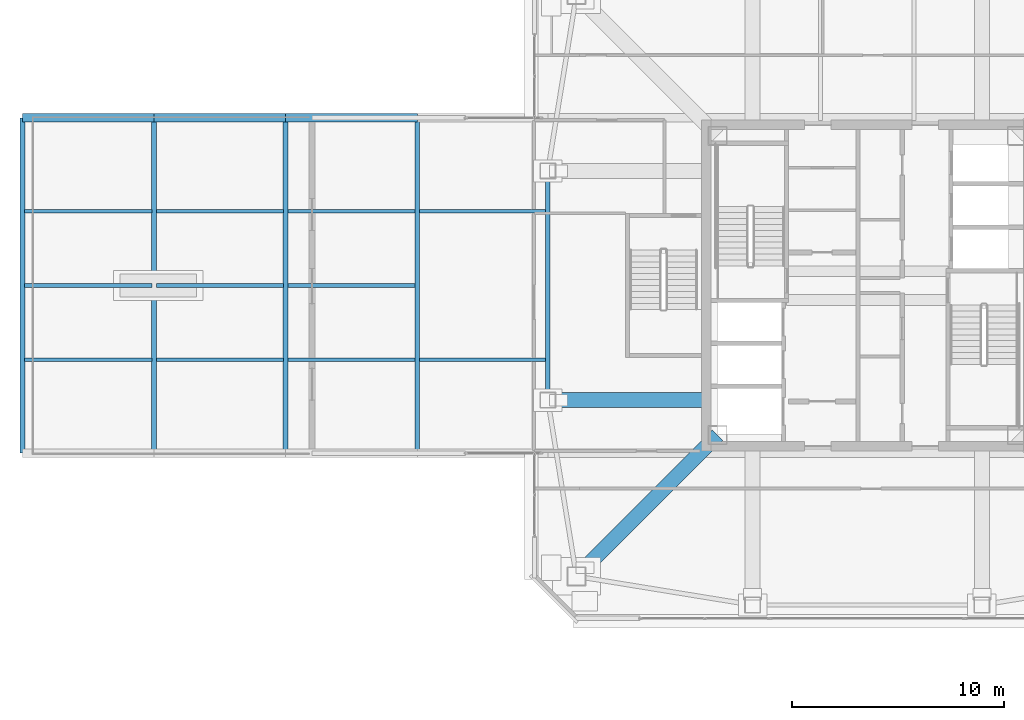
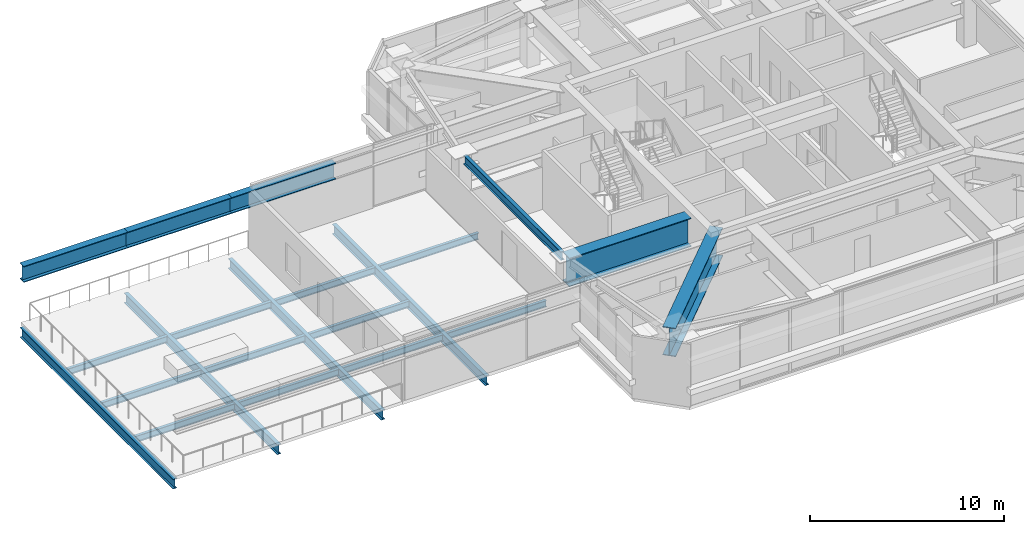
# One storey, part 6 of 51: 21 beams.
"""IFC4 building model written with IfcOpenShell, lengths in metres."""

import ifcopenshell
import ifcopenshell.guid

model = None  # the IFC model being written
_history = None  # IfcOwnerHistory: only IFC2X3 demands one
_inside = {}  # id of a spatial element -> (the spatial element, [elements in it])
_under = {}  # id of a project, library or spatial element -> (it, [spatial elements below it])
_declared = {}  # id of a project -> (the project, [libraries it declares])
_typed = {}  # id of a type object -> (the type object, [elements of that type])
_made_of = {}  # id of a material, layer set ... -> (it, [elements and type objects made of it])


def new_model(schema):
    """Start an empty IFC model of exactly this schema.

    Asked for "IFC4X3", IfcOpenShell would pick the latest addendum, in which some entities
    have other attributes; the version numbers below select the first issue.
    IFC2X3 requires an IfcOwnerHistory on every rooted entity: one is made here for all.
    """
    global model, _history
    if schema == "IFC4X3":
        model = ifcopenshell.file(schema_version=(4, 3, 0, 0))
    else:
        model = ifcopenshell.file(schema=schema)
    _inside.clear()
    _under.clear()
    _declared.clear()
    _typed.clear()
    _made_of.clear()
    _history = None
    if model.schema == "IFC2X3":
        org = make("IfcOrganization", Name="unknown")
        user = make(
            "IfcPersonAndOrganization",
            ThePerson=make("IfcPerson", FamilyName="unknown"),
            TheOrganization=org,
        )
        app = make(
            "IfcApplication",
            ApplicationDeveloper=org,
            Version="unknown",
            ApplicationFullName="unknown",
            ApplicationIdentifier="unknown",
        )
        _history = make(
            "IfcOwnerHistory",
            OwningUser=user,
            OwningApplication=app,
            ChangeAction="ADDED",
            CreationDate=0,
        )
    return model


def make(cls, **values):
    """One entity of the class cls with the attributes given. An attribute that is None is left unset."""
    return model.create_entity(
        cls, **{name: value for name, value in values.items() if value is not None}
    )


def rooted(cls, **values):
    """An entity with a GlobalId (a new one), such as an element, a storey or a relation."""
    return make(cls, GlobalId=ifcopenshell.guid.new(), OwnerHistory=_history, **values)


def si_unit(unit_type, name, prefix=None):
    """IfcSIUnit, for example si_unit("LENGTHUNIT", "METRE", prefix="MILLI")."""
    return make("IfcSIUnit", UnitType=unit_type, Prefix=prefix, Name=name)


def assignment(units):
    """IfcUnitAssignment: the units of a project."""
    return None if units is None else make("IfcUnitAssignment", Units=units)


def point(xyz):
    """IfcCartesianPoint."""
    return None if xyz is None else make("IfcCartesianPoint", Coordinates=xyz)


def direction(xyz):
    """IfcDirection."""
    return None if xyz is None else make("IfcDirection", DirectionRatios=xyz)


def frame(location, z_axis=None, x_axis=None):
    """IfcAxis2Placement3D, a coordinate frame: its origin and axes. An axis left out is left unset."""
    return make(
        "IfcAxis2Placement3D",
        Location=point(location),
        Axis=direction(z_axis),
        RefDirection=direction(x_axis),
    )


def frame_2d(location, x_axis=None):
    """IfcAxis2Placement2D, a coordinate frame in the plane: its origin and x axis."""
    return make(
        "IfcAxis2Placement2D", Location=point(location), RefDirection=direction(x_axis)
    )


def origin():
    """The frame at (0, 0, 0) with its axes left unset."""
    return frame((0.0, 0.0, 0.0))


def origin_2d():
    """The frame at (0, 0) in the plane with its x axis left unset."""
    return frame_2d((0.0, 0.0))


def place(relative_to, where):
    """IfcLocalPlacement: puts the frame where relative to a parent placement (None: the world)."""
    return make(
        "IfcLocalPlacement", PlacementRelTo=relative_to, RelativePlacement=where
    )


def context(
    kind, dimensions, precision=None, world=None, true_north=None, identifier=None
):
    """IfcGeometricRepresentationContext, for example the 3D "Model" context."""
    return make(
        "IfcGeometricRepresentationContext",
        ContextIdentifier=identifier,
        ContextType=kind,
        CoordinateSpaceDimension=dimensions,
        Precision=precision,
        WorldCoordinateSystem=world,
        TrueNorth=true_north,
    )


def subcontext(parent, identifier, kind, view, scale=None):
    """IfcGeometricRepresentationSubContext, for example "Body" below "Model"."""
    return make(
        "IfcGeometricRepresentationSubContext",
        ContextIdentifier=identifier,
        ContextType=kind,
        ParentContext=parent,
        TargetScale=scale,
        TargetView=view,
    )


def project(units=None, contexts=None):
    """IfcProject with its units and contexts."""
    return rooted(
        "IfcProject",
        Name="project",
        RepresentationContexts=contexts,
        UnitsInContext=assignment(units),
    )


def spatial(cls, under=None, at=None, **own):
    """A site, building, storey or space (cls), placed at a placement, below another one or the project."""
    s = rooted(cls, ObjectPlacement=at, **own)
    if under is not None:
        _under.setdefault(under.id(), (under, []))[1].append(s)
    return s


def profile(cls, at=None, kind="AREA", **sizes):
    """A parametric profile (cls). Its sizes go by their IFC names, for example OverallWidth=200.0."""
    return make(cls, ProfileType=kind, Position=at, **sizes)


def i_section(**sizes):
    """IfcIShapeProfileDef."""
    return profile("IfcIShapeProfileDef", **sizes)


def extrude(swept, where, along, depth):
    """IfcExtrudedAreaSolid: the profile swept, set in the frame where, extruded along a direction by depth."""
    return make(
        "IfcExtrudedAreaSolid",
        SweptArea=swept,
        Position=where,
        ExtrudedDirection=direction(along),
        Depth=depth,
    )


def shape(context_of_items, identifier, shape_type, items):
    """IfcShapeRepresentation: the items that make up one representation, for example the "Body"."""
    return make(
        "IfcShapeRepresentation",
        ContextOfItems=context_of_items,
        RepresentationIdentifier=identifier,
        RepresentationType=shape_type,
        Items=items,
    )


def material(Name=None, Category=None):
    """IfcMaterial."""
    return make("IfcMaterial", Name=Name, Category=Category)


def material_profile(
    of_material, cross_section, Name=None, Category=None, Priority=None
):
    """IfcMaterialProfile: a cross section and its material."""
    return make(
        "IfcMaterialProfile",
        Name=Name,
        Material=of_material,
        Profile=cross_section,
        Priority=Priority,
        Category=Category,
    )


def profile_set(profiles, Name=None, composite=None):
    """IfcMaterialProfileSet."""
    return make(
        "IfcMaterialProfileSet",
        Name=Name,
        MaterialProfiles=profiles,
        CompositeProfile=composite,
    )


def made_of(thing, what):
    """Note that an element or type object is made of a material, layer set ...; save() writes the relation."""
    if what is not None:
        _made_of.setdefault(what.id(), (what, []))[1].append(thing)
    return thing


def type_object(cls, material=None, **own):
    """A type object (cls), such as IfcWallType, which elements share."""
    return made_of(rooted(cls, **own), material)


def element(
    cls,
    number,
    at=None,
    inside=None,
    cuts=None,
    type_object=None,
    material=None,
    context=None,
    identifier="Body",
    shape_type=None,
    held_by="IfcProductDefinitionShape",
    body=None,
    shapes=None,
    **own,
):
    """One element of the class cls, such as IfcWall. Its Tag is "e" and its number.

    at: its placement. inside: the storey or other place that contains it. cuts: it is an
    opening in that element (IfcRelVoidsElement). A single representation is given by context,
    identifier, shape_type and body (its items); several are given by shapes. held_by: the class
    of the entity that holds the representations. save() writes the other relations.
    """
    e = rooted(cls, Tag="e%d" % number, ObjectPlacement=at, **own)
    if body is not None:
        shapes = [shape(context, identifier, shape_type, body)]
    if shapes is not None:
        e.Representation = make(held_by, Representations=shapes)
    if inside is not None:
        _inside.setdefault(inside.id(), (inside, []))[1].append(e)
    if cuts is not None:
        rooted(
            "IfcRelVoidsElement", RelatingBuildingElement=cuts, RelatedOpeningElement=e
        )
    if type_object is not None:
        _typed.setdefault(type_object.id(), (type_object, []))[1].append(e)
    return made_of(e, material)


def aggregate(whole, parts):
    """IfcRelAggregates: a whole, such as a stair, and the parts it consists of."""
    return rooted("IfcRelAggregates", RelatingObject=whole, RelatedObjects=parts)


def save(model, path):
    """Write the relations noted so far, then the file.

    IfcRelAggregates (storeys below a building ...), IfcRelContainedInSpatialStructure (elements
    in a storey), IfcRelDefinesByType, IfcRelAssociatesMaterial and IfcRelDeclares: one each for
    every whole, place, type object, material and project.
    """
    for whole, parts in _under.values():
        aggregate(whole, parts)
    for where, things in _inside.values():
        rooted(
            "IfcRelContainedInSpatialStructure",
            RelatedElements=things,
            RelatingStructure=where,
        )
    for kind, things in _typed.values():
        rooted("IfcRelDefinesByType", RelatedObjects=things, RelatingType=kind)
    for what, things in _made_of.values():
        rooted("IfcRelAssociatesMaterial", RelatedObjects=things, RelatingMaterial=what)
    for by, libraries in _declared.values():
        rooted("IfcRelDeclares", RelatingContext=by, RelatedDefinitions=libraries)
    model.write(path)


model = new_model("IFC4")

# Units and contexts
model_context = context("Model", 3, precision=1e-05, world=origin(), true_north=direction((0.0, 1.0)))
body_context = subcontext(model_context, "Body", "Model", "MODEL_VIEW")
ifc_project = project(units=[si_unit("LENGTHUNIT", "METRE"), si_unit("AREAUNIT", "SQUARE_METRE"), si_unit("VOLUMEUNIT", "CUBIC_METRE"), si_unit("PLANEANGLEUNIT", "RADIAN"), si_unit("MASSUNIT", "GRAM", prefix="KILO")], contexts=[model_context])

# Site, building, storey
site_placement = place(None, origin())
site = spatial("IfcSite", under=ifc_project, at=site_placement, CompositionType="ELEMENT")
building_placement = place(site_placement, origin())
building = spatial("IfcBuilding", under=site, at=building_placement, Name="Tashvorn Skyway Center", CompositionType="ELEMENT")
storey_placement = place(building_placement, frame((0.0, 0.0, 259.39990234375)))
storey = spatial("IfcBuildingStorey", under=building, at=storey_placement, Name="L70", CompositionType="ELEMENT", Elevation=259.39990234375)

# Beams
ifc_material_1 = material(Name="Steel ASTM A572 Grade 50", Category="steel")
ifc_material_profile_1 = material_profile(ifc_material_1, i_section(OverallWidth=0.699951171875, OverallDepth=1.800048828125, WebThickness=0.031982421875, FlangeThickness=0.050048828125, at=origin_2d()), Name="PG1800x700")
ifc_profile_set_1 = profile_set([ifc_material_profile_1], Name="Steel ASTM A572 Grade 50")
beam_type_1 = type_object("IfcBeamType", Name="BM-BEAM-PG1800x700", PredefinedType="BEAM", material=ifc_profile_set_1)
beam_1_placement = place(storey_placement, frame((28.300048828125, 18.300048828125, 2.800048828125), z_axis=(0.707106781187, 0.707106781187, 0.0), x_axis=(-0.707106781187, 0.707106781187, 0.0)))
element("IfcBeam", 1, at=beam_1_placement, inside=storey, type_object=beam_type_1, Name="Tower 1 L70 Setback Transfer Girder MC-SW", PredefinedType="BEAM", context=body_context, shape_type="SweptSolid", body=[
    extrude(i_section(OverallWidth=0.699951171875, OverallDepth=1.800048828125, WebThickness=0.031982421875, FlangeThickness=0.050048828125, at=origin_2d()), origin(), (0.0, 0.0, 1.0), 9.404296875),
])
beam_2_placement = place(storey_placement, frame((26.949951171875, 26.60009765625, 2.800048828125), z_axis=(1.0, 0.0, 0.0), x_axis=(0.0, 1.0, 0.0)))
element("IfcBeam", 2, at=beam_2_placement, inside=storey, type_object=beam_type_1, Name="Tower 1 L70 Setback Transfer Girder FC-W2", PredefinedType="BEAM", context=body_context, shape_type="SweptSolid", body=[
    extrude(i_section(OverallWidth=0.699951171875, OverallDepth=1.800048828125, WebThickness=0.031982421875, FlangeThickness=0.050048828125, at=origin_2d()), origin(), (0.0, 0.0, 1.0), 7.27001953125),
])
ifc_material_2 = material(Name="Steel ASTM A992 Grade 50", Category="steel")
ifc_material_profile_2 = material_profile(ifc_material_2, i_section(OverallWidth=0.22998046875, OverallDepth=0.616943359375, WebThickness=0.01318359375, FlangeThickness=0.022216796875, at=origin_2d()), Name="W24X94")
ifc_profile_set_2 = profile_set([ifc_material_profile_2], Name="Steel ASTM A992 Grade 50")
beam_type_2 = type_object("IfcBeamType", Name="BM-BEAM-W24X94", PredefinedType="BEAM", material=ifc_profile_set_2)
for number, where, z_axis, x_axis, name in (
    (3, (2.199951171875, 24.10009765625, -0.5283203125), (0.0, 1.0, 0.0), (-1.0, 0.0, 0.0), "Sky-Park L70 Transverse Floor Beam 01"),
    (4, (8.39990234375, 24.10009765625, -0.5283203125), (0.0, 1.0, 0.0), (-1.0, 0.0, 0.0), "Sky-Park L70 Transverse Floor Beam 02"),
    (5, (14.60009765625, 24.10009765625, -0.5283203125), (0.0, 1.0, 0.0), (-1.0, 0.0, 0.0), "Sky-Park L70 Transverse Floor Beam 03"),
    (6, (20.800048828125, 24.10009765625, -0.5283203125), (0.0, 1.0, 0.0), (-1.0, 0.0, 0.0), "Sky-Park L70 Transverse Floor Beam 04"),
):
    element("IfcBeam", number, at=place(storey_placement, frame(where, z_axis=z_axis, x_axis=x_axis)), inside=storey, type_object=beam_type_2, Name=name, PredefinedType="BEAM", context=body_context, shape_type="SweptSolid", body=[
        extrude(i_section(OverallWidth=0.22998046875, OverallDepth=0.616943359375, WebThickness=0.01318359375, FlangeThickness=0.022216796875, at=origin_2d()), origin(), (0.0, 0.0, 1.0), 15.7998046875),
    ])
ifc_material_3 = material(Name="Steel ASTM A913 Grade 65", Category="steel")
ifc_material_profile_3 = material_profile(ifc_material_3, i_section(OverallWidth=0.40087890625, OverallDepth=1.010986328125, WebThickness=0.023681640625, FlangeThickness=0.0419921875, at=origin_2d()), Name="W40X297")
ifc_profile_set_3 = profile_set([ifc_material_profile_3], Name="Steel ASTM A913 Grade 65")
beam_type_3 = type_object("IfcBeamType", Name="BM-BEAM-W40X297", PredefinedType="BEAM", material=ifc_profile_set_3)
beam_3_placement = place(storey_placement, frame((2.199951171875, 39.89990234375, 3.194580078125), z_axis=(1.0, 0.0, 0.0), x_axis=(0.0, 1.0, 0.0)))
element("IfcBeam", 7, at=beam_3_placement, inside=storey, type_object=beam_type_3, Name="Sky-Park Truss 2 Top Chord Panel 01", PredefinedType="BEAM", context=body_context, shape_type="SweptSolid", body=[
    extrude(i_section(OverallWidth=0.40087890625, OverallDepth=1.010986328125, WebThickness=0.023681640625, FlangeThickness=0.0419921875, at=origin_2d()), origin(), (0.0, 0.0, 1.0), 6.199951171875),
])
beam_4_placement = place(storey_placement, frame((8.39990234375, 39.89990234375, 3.194580078125), z_axis=(1.0, 0.0, 0.0), x_axis=(0.0, 1.0, 0.0)))
element("IfcBeam", 8, at=beam_4_placement, inside=storey, type_object=beam_type_3, Name="Sky-Park Truss 2 Top Chord Panel 02", PredefinedType="BEAM", context=body_context, shape_type="SweptSolid", body=[
    extrude(i_section(OverallWidth=0.40087890625, OverallDepth=1.010986328125, WebThickness=0.023681640625, FlangeThickness=0.0419921875, at=origin_2d()), origin(), (0.0, 0.0, 1.0), 6.2001953125),
])
beam_5_placement = place(storey_placement, frame((14.60009765625, 39.89990234375, 3.194580078125), z_axis=(1.0, 0.0, 0.0), x_axis=(0.0, 1.0, 0.0)))
element("IfcBeam", 9, at=beam_5_placement, inside=storey, type_object=beam_type_3, Name="Sky-Park Truss 2 Top Chord Panel 03", PredefinedType="BEAM", context=body_context, shape_type="SweptSolid", body=[
    extrude(i_section(OverallWidth=0.40087890625, OverallDepth=1.010986328125, WebThickness=0.023681640625, FlangeThickness=0.0419921875, at=origin_2d()), origin(), (0.0, 0.0, 1.0), 6.199951171875),
])
ifc_material_profile_4 = material_profile(ifc_material_2, i_section(OverallWidth=0.177978515625, OverallDepth=0.406005859375, WebThickness=0.0078125, FlangeThickness=0.0126953125, at=origin_2d()), Name="W16X40")
ifc_profile_set_4 = profile_set([ifc_material_profile_4], Name="Steel ASTM A992 Grade 50")
beam_type_4 = type_object("IfcBeamType", Name="BM-JOIST-W16X40", PredefinedType="JOIST", material=ifc_profile_set_4)
for number, where, z_axis, x_axis, name in (
    (10, (2.306884765625, 28.5, -0.4228515625), (1.0, 0.0, 0.0), (0.0, 1.0, 0.0), "Sky-Park L70 Longitudinal Joist 01-1"),
    (11, (2.306884765625, 32.0, -0.4228515625), (1.0, 0.0, 0.0), (0.0, 1.0, 0.0), "Sky-Park L70 Longitudinal Joist 01-2"),
    (12, (2.306884765625, 35.5, -0.4228515625), (1.0, 0.0, 0.0), (0.0, 1.0, 0.0), "Sky-Park L70 Longitudinal Joist 01-3"),
):
    element("IfcBeam", number, at=place(storey_placement, frame(where, z_axis=z_axis, x_axis=x_axis)), inside=storey, type_object=beam_type_4, Name=name, PredefinedType="JOIST", context=body_context, shape_type="SweptSolid", body=[
        extrude(i_section(OverallWidth=0.177978515625, OverallDepth=0.406005859375, WebThickness=0.0078125, FlangeThickness=0.0126953125, at=origin_2d()), origin(), (0.0, 0.0, 1.0), 5.986083984375),
    ])
for number, where, z_axis, x_axis, name in (
    (13, (8.507080078125, 28.5, -0.4228515625), (1.0, 0.0, 0.0), (0.0, 1.0, 0.0), "Sky-Park L70 Longitudinal Joist 02-1"),
    (14, (8.507080078125, 32.0, -0.4228515625), (1.0, 0.0, 0.0), (0.0, 1.0, 0.0), "Sky-Park L70 Longitudinal Joist 02-2"),
    (15, (8.507080078125, 35.5, -0.4228515625), (1.0, 0.0, 0.0), (0.0, 1.0, 0.0), "Sky-Park L70 Longitudinal Joist 02-3"),
):
    element("IfcBeam", number, at=place(storey_placement, frame(where, z_axis=z_axis, x_axis=x_axis)), inside=storey, type_object=beam_type_4, Name=name, PredefinedType="JOIST", context=body_context, shape_type="SweptSolid", body=[
        extrude(i_section(OverallWidth=0.177978515625, OverallDepth=0.406005859375, WebThickness=0.0078125, FlangeThickness=0.0126953125, at=origin_2d()), origin(), (0.0, 0.0, 1.0), 5.98583984375),
    ])
for number, where, z_axis, x_axis, name in (
    (16, (14.70703125, 28.5, -0.4228515625), (1.0, 0.0, 0.0), (0.0, 1.0, 0.0), "Sky-Park L70 Longitudinal Joist 03-1"),
    (17, (14.70703125, 32.0, -0.4228515625), (1.0, 0.0, 0.0), (0.0, 1.0, 0.0), "Sky-Park L70 Longitudinal Joist 03-2"),
    (18, (14.70703125, 35.5, -0.4228515625), (1.0, 0.0, 0.0), (0.0, 1.0, 0.0), "Sky-Park L70 Longitudinal Joist 03-3"),
):
    element("IfcBeam", number, at=place(storey_placement, frame(where, z_axis=z_axis, x_axis=x_axis)), inside=storey, type_object=beam_type_4, Name=name, PredefinedType="JOIST", context=body_context, shape_type="SweptSolid", body=[
        extrude(i_section(OverallWidth=0.177978515625, OverallDepth=0.406005859375, WebThickness=0.0078125, FlangeThickness=0.0126953125, at=origin_2d()), origin(), (0.0, 0.0, 1.0), 5.986083984375),
    ])
for number, where, z_axis, x_axis, name in (
    (19, (20.906982421875, 28.5, -0.4228515625), (1.0, 0.0, 0.0), (0.0, 1.0, 0.0), "Sky-Park L70 Longitudinal Joist 04-1"),
    (20, (20.906982421875, 35.5, -0.4228515625), (1.0, 0.0, 0.0), (0.0, 1.0, 0.0), "Sky-Park L70 Longitudinal Joist 04-3"),
):
    element("IfcBeam", number, at=place(storey_placement, frame(where, z_axis=z_axis, x_axis=x_axis)), inside=storey, type_object=beam_type_4, Name=name, PredefinedType="JOIST", context=body_context, shape_type="SweptSolid", body=[
        extrude(i_section(OverallWidth=0.177978515625, OverallDepth=0.406005859375, WebThickness=0.0078125, FlangeThickness=0.0126953125, at=origin_2d()), origin(), (0.0, 0.0, 1.0), 5.943603515625),
    ])
ifc_material_profile_5 = material_profile(ifc_material_2, i_section(OverallWidth=0.2109375, OverallDepth=0.5390625, WebThickness=0.01171875, FlangeThickness=0.018798828125, at=origin_2d()), Name="W21X73")
ifc_profile_set_5 = profile_set([ifc_material_profile_5], Name="Steel ASTM A992 Grade 50")
beam_type_5 = type_object("IfcBeamType", Name="BM-SPANDREL-W21X73", PredefinedType="SPANDREL", material=ifc_profile_set_5)
beam_6_placement = place(storey_placement, frame((26.949951171875, 37.030029296875, 3.4306640625), z_axis=(0.0, -1.0, 0.0), x_axis=(1.0, 0.0, 0.0)))
element("IfcBeam", 21, at=beam_6_placement, inside=storey, type_object=beam_type_5, Name="Tower 1 L70 Spandrel Beam 11", PredefinedType="SPANDREL", context=body_context, shape_type="SweptSolid", body=[
    extrude(i_section(OverallWidth=0.2109375, OverallDepth=0.5390625, WebThickness=0.01171875, FlangeThickness=0.018798828125, at=origin_2d()), origin(), (0.0, 0.0, 1.0), 10.06005859375),
])

save(model, "model.ifc")
